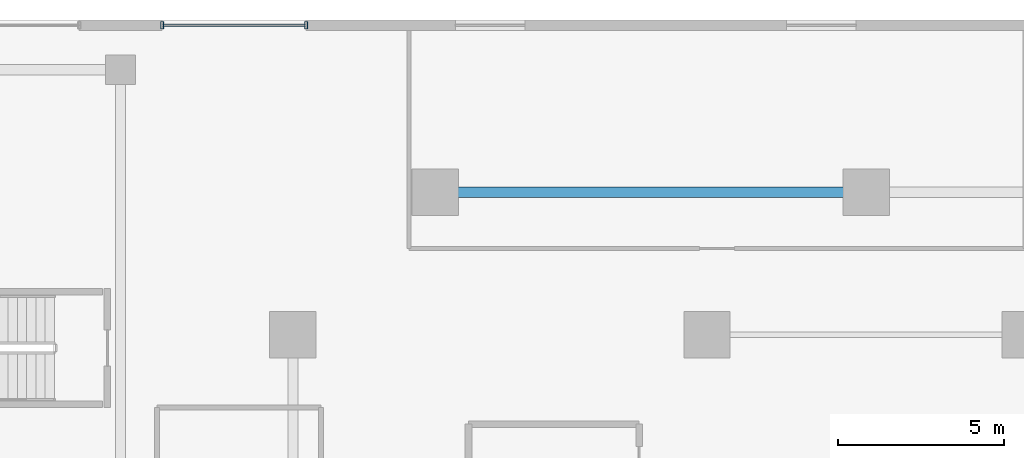
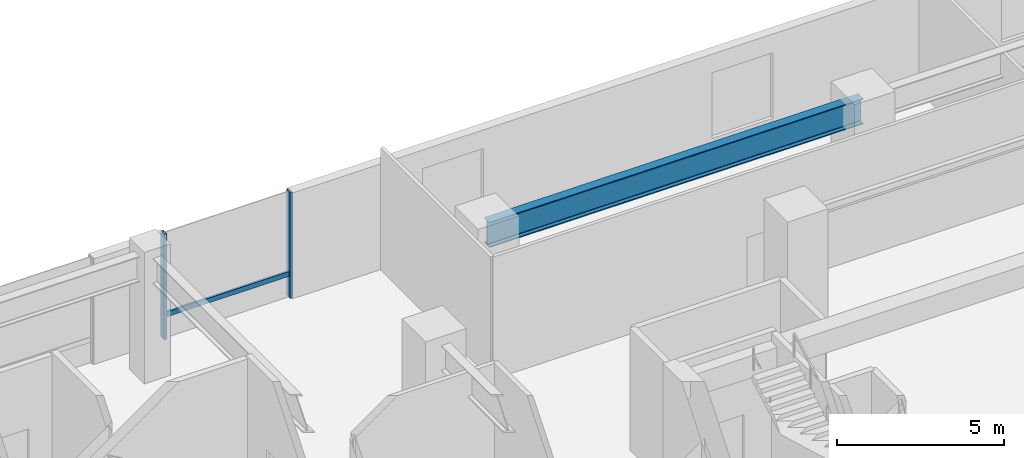
# One storey, part 9 of 22: 3 members, 1 beam, 1 element without a shape of its own.
"""IFC4 building model written with IfcOpenShell, lengths in metres."""

from ifc_helpers import new_model, si_unit, direction, frame, origin, origin_2d, place, context, subcontext, project, spatial, hollow_rectangle, i_section, extrude, material, material_profile, profile_set, type_object, element, aggregate, save


model = new_model("IFC4")

# Units and contexts
model_context = context("Model", 3, precision=1e-05, world=origin(), true_north=direction((0.0, 1.0)))
body_context = subcontext(model_context, "Body", "Model", "MODEL_VIEW")
ifc_project = project(units=[si_unit("LENGTHUNIT", "METRE"), si_unit("AREAUNIT", "SQUARE_METRE"), si_unit("VOLUMEUNIT", "CUBIC_METRE"), si_unit("PLANEANGLEUNIT", "RADIAN"), si_unit("MASSUNIT", "GRAM", prefix="KILO")], contexts=[model_context])

# Site, building, storey
site_placement = place(None, origin())
site = spatial("IfcSite", under=ifc_project, at=site_placement, CompositionType="ELEMENT")
building_placement = place(site_placement, origin())
building = spatial("IfcBuilding", under=site, at=building_placement, Name="Thornwick Lancets Civic Towers", CompositionType="ELEMENT")
storey_placement = place(building_placement, frame((0.0, 0.0, 4.800048828125)))
storey = spatial("IfcBuildingStorey", under=building, at=storey_placement, Name="L01", CompositionType="ELEMENT", Elevation=4.800048828125)

# Beam
ifc_material_1 = material(Name="Steel S355JR", Category="steel")
ifc_material_profile_1 = material_profile(ifc_material_1, i_section(OverallWidth=0.3076171875, OverallDepth=0.926513671875, WebThickness=0.01953125, FlangeThickness=0.031982421875, FilletRadius=0.01904296875, at=origin_2d()), Name="UKB 914x305x289")
ifc_profile_set_1 = profile_set([ifc_material_profile_1], Name="Steel S355JR")
beam_type = type_object("IfcBeamType", Name="BM_POD_914_289", PredefinedType="BEAM", material=ifc_profile_set_1)
beam_placement = place(storey_placement, frame((88.419921875, 44.300048828125, 4.0166015625), z_axis=(-1.0, 0.0, 0.0), x_axis=(0.0, -1.0, 0.0)))
element("IfcBeam", 1, at=beam_placement, inside=storey, type_object=beam_type, Name="BM-SPINE-L01-B-4-5", PredefinedType="BEAM", context=body_context, shape_type="SweptSolid", body=[
    extrude(i_section(OverallWidth=0.3076171875, OverallDepth=0.926513671875, WebThickness=0.01953125, FlangeThickness=0.031982421875, FilletRadius=0.01904296875, at=origin_2d()), origin(), (0.0, 0.0, 1.0), 12.919921875),
])

# Curtain wall, members
ifc_material_2 = material(Name="Bronze aluminium Gothic lancet podium curtain wall", Category="aluminium")
curtain_wall_type = type_object("IfcCurtainWallType", Name="CW_SYS_01", PredefinedType="NOTDEFINED", material=ifc_material_2)
curtain_wall_placement = place(storey_placement, origin())
curtain_wall = element("IfcCurtainWall", 2, at=curtain_wall_placement, inside=storey, type_object=curtain_wall_type, Name="L01 Curtain Wall CW-L01-POD-NC-S1", PredefinedType="NOTDEFINED")
ifc_material_3 = material(Name="Thermally broken bronze aluminium S355", Category="steel")
ifc_material_profile_2 = material_profile(ifc_material_3, hollow_rectangle(XDim=0.090087890625, YDim=0.219970703125, WallThickness=0.00634765625, at=origin_2d()), Name="RHS 220x90x6.3")
ifc_profile_set_2 = profile_set([ifc_material_profile_2], Name="Thermally broken bronze aluminium S355")
member_type_1 = type_object("IfcMemberType", Name="CW_MUL_220", PredefinedType="MULLION", material=ifc_profile_set_2)
member_1_placement = place(storey_placement, frame((71.60009765625, 49.340087890625, 0.0), z_axis=(0.0, 0.0, 1.0), x_axis=(1.0, 0.0, 0.0)))
member_1 = element("IfcMember", 3, at=member_1_placement, type_object=member_type_1, Name="CW-L01-POD-NC-S1 Mullion 0", PredefinedType="MULLION", context=body_context, shape_type="SweptSolid", body=[
    extrude(hollow_rectangle(XDim=0.090087890625, YDim=0.219970703125, WallThickness=0.00634765625, at=origin_2d()), origin(), (0.0, 0.0, 1.0), 3.85986328125),
])
member_2_placement = place(storey_placement, frame((67.25, 49.340087890625, 0.0), z_axis=(0.0, 0.0, 1.0), x_axis=(1.0, 0.0, 0.0)))
member_2 = element("IfcMember", 4, at=member_2_placement, type_object=member_type_1, Name="CW-L01-POD-NC-S1 Mullion 1", PredefinedType="MULLION", context=body_context, shape_type="SweptSolid", body=[
    extrude(hollow_rectangle(XDim=0.090087890625, YDim=0.219970703125, WallThickness=0.00634765625, at=origin_2d()), origin(), (0.0, 0.0, 1.0), 3.85986328125),
])
ifc_material_profile_3 = material_profile(ifc_material_3, hollow_rectangle(XDim=0.074951171875, YDim=0.179931640625, WallThickness=0.006103515625, at=origin_2d()), Name="RHS 180x75x6")
ifc_profile_set_3 = profile_set([ifc_material_profile_3], Name="Thermally broken bronze aluminium S355")
member_type_2 = type_object("IfcMemberType", Name="CW_TRN_180", PredefinedType="USERDEFINED", material=ifc_profile_set_3)
member_3_placement = place(storey_placement, frame((71.580078125, 49.340087890625, 0.849853515625), z_axis=(-1.0, 0.0, 0.0), x_axis=(0.0, -1.0, 0.0)))
member_3 = element("IfcMember", 5, at=member_3_placement, type_object=member_type_2, Name="CW-L01-POD-NC-S1 Transom 0", ObjectType="TRANSOM", PredefinedType="USERDEFINED", context=body_context, shape_type="SweptSolid", body=[
    extrude(hollow_rectangle(XDim=0.074951171875, YDim=0.179931640625, WallThickness=0.006103515625, at=origin_2d()), origin(), (0.0, 0.0, 1.0), 4.31005859375),
])
aggregate(curtain_wall, [member_1, member_2, member_3])

save(model, "model.ifc")
